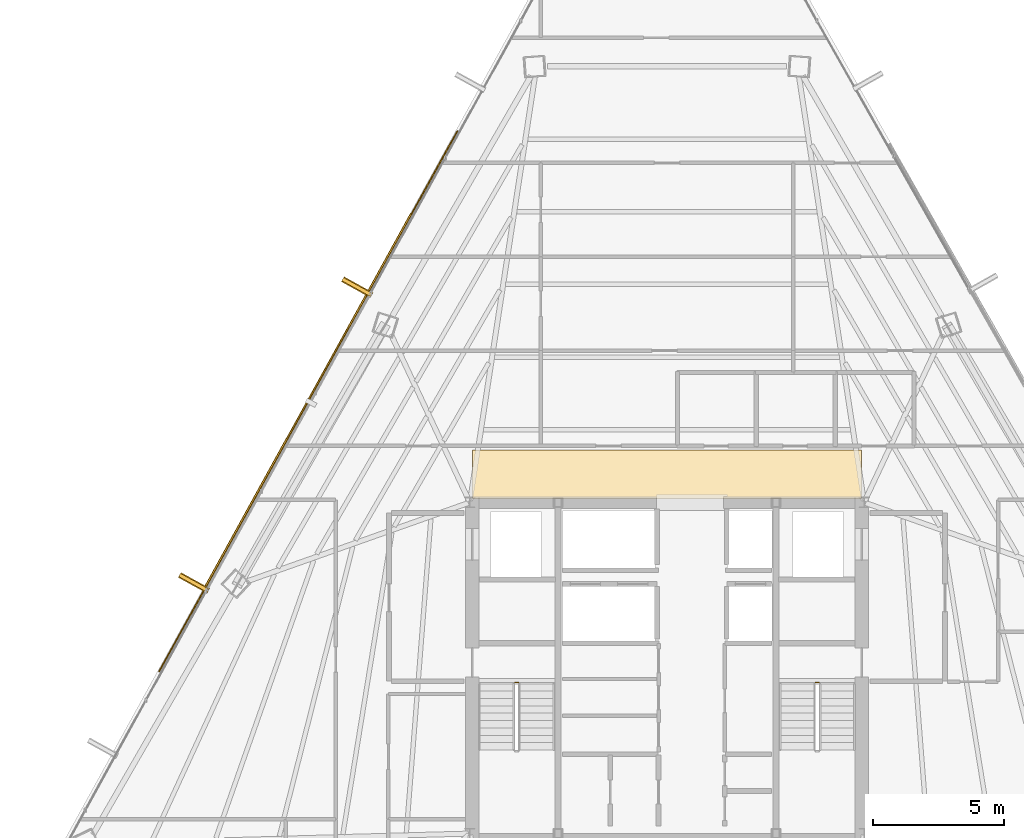
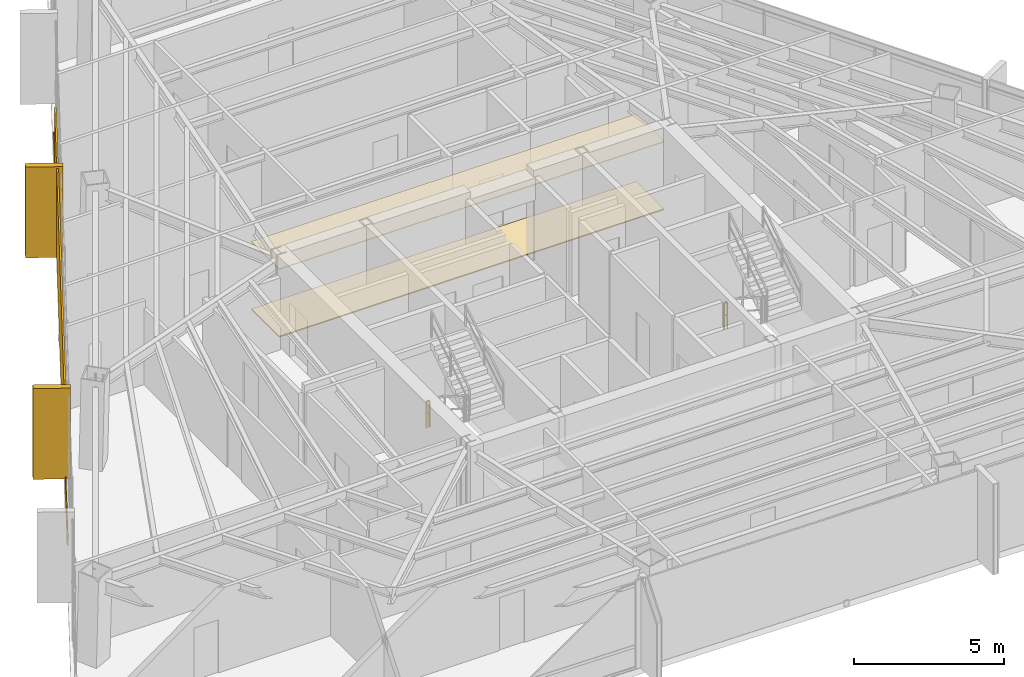
# One storey, part 41 of 42: 5 coverings, 3 shading devices, 2 railings.
"""IFC4 building model written with IfcOpenShell, lengths in metres."""

from ifc_helpers import new_model, si_unit, direction, frame, origin, origin_2d, place, context, subcontext, project, spatial, polyline, rectangle, outline, extrude, source, transform, mapped, material, layer, layer_set, type_object, type_shapes, element, save


model = new_model("IFC4")

# Units and contexts
model_context = context("Model", 3, precision=1e-05, world=origin(), true_north=direction((0.0, 1.0)))
body_context = subcontext(model_context, "Body", "Model", "MODEL_VIEW")
ifc_project = project(units=[si_unit("LENGTHUNIT", "METRE"), si_unit("AREAUNIT", "SQUARE_METRE"), si_unit("VOLUMEUNIT", "CUBIC_METRE"), si_unit("PLANEANGLEUNIT", "RADIAN"), si_unit("MASSUNIT", "GRAM", prefix="KILO")], contexts=[model_context])

# Site, building, storey
site_placement = place(None, origin())
site = spatial("IfcSite", under=ifc_project, at=site_placement, CompositionType="ELEMENT")
building_placement = place(site_placement, origin())
building = spatial("IfcBuilding", under=site, at=building_placement, Name="Caelisora Broadcast Tower", CompositionType="ELEMENT")
storey_placement = place(building_placement, frame((0.0, 0.0, 205.949951171875)))
storey = spatial("IfcBuildingStorey", under=building, at=storey_placement, Name="L54", CompositionType="ELEMENT", Elevation=205.949951171875)

# Coverings
ifc_material_1 = material(Name="Perforated Mineral-Fibre Acoustic Ceiling Tile", Category="gypsum")
ifc_layer_1 = layer(ifc_material_1, 0.034912109375, Name="Perforated Mineral-Fibre Acoustic Ceiling Tile")
ifc_layer_set_1 = layer_set([ifc_layer_1], Name="Perforated Mineral-Fibre Acoustic Ceiling Tile")
covering_type_1 = type_object("IfcCoveringType", Name="CE-1", PredefinedType="CEILING", material=ifc_layer_set_1)
covering_1_placement = place(storey_placement, frame((0.0, 0.0, 2.75)))
element("IfcCovering", 1, at=covering_1_placement, inside=storey, type_object=covering_type_1, Name="L54 acoustic corridor ceiling CE-1 (N)", PredefinedType="CEILING", context=body_context, shape_type="SweptSolid", body=[
    extrude(outline(polyline([(30.60009765625, 30.14990234375), (45.39990234375, 30.14990234375), (45.39990234375, 32.0), (30.60009765625, 32.0), (30.60009765625, 30.14990234375)])), origin(), (0.0, 0.0, 1.0), 0.03515625),
])
ifc_material_2 = material(Name="Anti-Static Broadcast Raised Access Floor Panel", Category="steel")
ifc_layer_2 = layer(ifc_material_2, 0.044921875, Name="Anti-Static Broadcast Raised Access Floor Panel")
ifc_layer_set_2 = layer_set([ifc_layer_2], Name="Anti-Static Broadcast Raised Access Floor Panel")
covering_type_2 = type_object("IfcCoveringType", Name="FL-1", PredefinedType="FLOORING", material=ifc_layer_set_2)
covering_2_placement = place(storey_placement, origin())
element("IfcCovering", 2, at=covering_2_placement, inside=storey, type_object=covering_type_2, Name="L54 broadcast raised access floor FL-1 (N)", PredefinedType="FLOORING", context=body_context, shape_type="SweptSolid", body=[
    extrude(outline(polyline([(30.60009765625, 30.14990234375), (45.39990234375, 30.14990234375), (45.39990234375, 32.0), (30.60009765625, 32.0), (30.60009765625, 30.14990234375)])), origin(), (0.0, 0.0, 1.0), 0.045166015625),
])

# Railings
ifc_material_3 = material(Name="Galvanised Steel Safety Guardrail", Category="steel")
ifc_layer_3 = layer(ifc_material_3, 0.048095703125, Name="Galvanised Steel Safety Guardrail")
ifc_layer_set_3 = layer_set([ifc_layer_3], Name="Galvanised Steel Safety Guardrail")
railing_type = type_object("IfcRailingType", Name="GR-1", PredefinedType="GUARDRAIL", material=ifc_layer_set_3)
for number, where, name in (
    (3, (32.219970703125, 23.14990234375, 0.0), "L54 ST-1 stair guard 4"),
    (4, (43.659912109375, 23.14990234375, 0.0), "L54 ST-2 stair guard 4"),
):
    element("IfcRailing", number, at=place(storey_placement, frame(where)), inside=storey, type_object=railing_type, Name=name, PredefinedType="GUARDRAIL", context=body_context, shape_type="SweptSolid", body=[
        extrude(rectangle(XDim=0.048095703125, YDim=0.048095703125, at=origin_2d()), frame((0.0, 0.0, 1.076171875), z_axis=(1.0, 0.0, 0.0), x_axis=(0.0, 1.0, 0.0)), (0.0, 0.0, 1.0), 0.1201171875),
        extrude(rectangle(XDim=0.03125, YDim=0.03125, at=origin_2d()), frame((0.0, 0.0, 0.550048828125), z_axis=(1.0, 0.0, 0.0), x_axis=(0.0, 1.0, 0.0)), (0.0, 0.0, 1.0), 0.1201171875),
        extrude(rectangle(XDim=0.0419921875, YDim=0.0419921875, at=origin_2d()), origin(), (0.0, 0.0, 1.0), 1.052001953125),
        extrude(rectangle(XDim=0.0419921875, YDim=0.0419921875, at=origin_2d()), frame((0.1201171875, 0.0, 0.0)), (0.0, 0.0, 1.0), 1.052001953125),
    ])

# Coverings
ifc_material_4 = material(Name="Kiln-Fired Terracotta Spandrel Rainscreen Cladding", Category="ceramic")
ifc_layer_4 = layer(ifc_material_4, 0.044921875, Name="Kiln-Fired Terracotta Spandrel Rainscreen Cladding")
ifc_layer_set_4 = layer_set([ifc_layer_4], Name="Kiln-Fired Terracotta Spandrel Rainscreen Cladding")
covering_type_3 = type_object("IfcCoveringType", Name="CL-1", PredefinedType="CLADDING", material=ifc_layer_set_4)
shared_shape_1 = source(origin(), body_context, "Body", "SweptSolid", [
    extrude(rectangle(XDim=0.219970703125, YDim=1.25, at=origin_2d()), origin(), (0.0, 0.0, 1.0), 3.68994140625),
])
for number, where, z_axis, x_axis, name in (
    (5, (20.0009765625, 26.93798828125, -0.02001953125), (0.0, 0.0, 1.0), (0.48312957851, 0.875548862354, 0.0), "L54 vertical solar fin cladding #3-2"),
    (6, (26.21044921875, 38.192626953125, -0.02001953125), (0.0, 0.0, 1.0), (0.48312957851, 0.875548862354, 0.0), "L54 vertical solar fin cladding #3-3"),
):
    element("IfcCovering", number, at=place(storey_placement, frame(where, z_axis=z_axis, x_axis=x_axis)), inside=storey, type_object=covering_type_3, Name=name, PredefinedType="CLADDING", context=body_context, shape_type="MappedRepresentation", body=[
        mapped(shared_shape_1, transform((0.0, 0.0, 0.0), scale=1.0)),
    ])

# Shading devices
ifc_material_5 = material(Name="Extruded Terracotta Flaring Colonnade Fin", Category="ceramic")
ifc_layer_5 = layer(ifc_material_5, 0.139892578125, Name="Extruded Terracotta Flaring Colonnade Fin")
ifc_layer_set_5 = layer_set([ifc_layer_5], Name="Extruded Terracotta Flaring Colonnade Fin")
shading_device_type_1 = type_object("IfcShadingDeviceType", Name="FN-1", PredefinedType="USERDEFINED", material=ifc_layer_set_5)
shared_shape_2 = source(origin(), body_context, "Body", "SweptSolid", [
    extrude(rectangle(XDim=0.139892578125, YDim=1.25, at=origin_2d()), origin(), (0.0, 0.0, 1.0), 3.669921875),
])
type_shapes(shading_device_type_1, [shared_shape_2])
for number, where, z_axis, x_axis, name in (
    (7, (20.0009765625, 26.93798828125, -0.010009765625), (0.0, 0.0, 1.0), (0.48312957851, 0.875548862354, 0.0), "L54 vertical terracotta fin #3-2"),
    (8, (26.21044921875, 38.192626953125, -0.010009765625), (0.0, 0.0, 1.0), (0.48312957851, 0.875548862354, 0.0), "L54 vertical terracotta fin #3-3"),
):
    element("IfcShadingDevice", number, at=place(storey_placement, frame(where, z_axis=z_axis, x_axis=x_axis)), inside=storey, type_object=shading_device_type_1, Name=name, ObjectType="FIN", PredefinedType="USERDEFINED", context=body_context, shape_type="MappedRepresentation", body=[
        mapped(shared_shape_2, transform((0.0, 0.0, 0.0), scale=1.0)),
    ])
ifc_material_6 = material(Name="Perforated Glazed Terracotta Baguette Solar Screen", Category="ceramic")
ifc_layer_6 = layer(ifc_material_6, 0.06494140625, Name="Perforated Glazed Terracotta Baguette Solar Screen")
ifc_layer_set_6 = layer_set([ifc_layer_6], Name="Perforated Glazed Terracotta Baguette Solar Screen")
shading_device_type_2 = type_object("IfcShadingDeviceType", Name="SS-1", PredefinedType="USERDEFINED", material=ifc_layer_set_6)
shared_shape_3 = source(origin(), body_context, "Body", "SweptSolid", [
    extrude(rectangle(XDim=16.27294921875, YDim=0.06494140625, at=origin_2d()), origin(), (0.0, 0.0, 1.0), 3.590087890625),
])
type_shapes(shading_device_type_2, [shared_shape_3])
shading_device_placement = place(storey_placement, frame((24.33447265625, 33.861083984375, 0.0), z_axis=(0.0, 0.0, 1.0), x_axis=(-0.48312957851, -0.875548862354, 0.0)))
element("IfcShadingDevice", 9, at=shading_device_placement, inside=storey, type_object=shading_device_type_2, Name="L54 perforated terracotta solar screen #1", ObjectType="SOLAR SCREEN", PredefinedType="USERDEFINED", context=body_context, shape_type="MappedRepresentation", body=[
    mapped(shared_shape_3, transform((0.0, 0.0, 0.0), scale=1.0)),
])

# Covering
shared_shape_4 = source(origin(), body_context, "Body", "SweptSolid", [
    extrude(rectangle(XDim=23.506103515625, YDim=0.044921875, at=origin_2d()), origin(), (0.0, 0.0, 1.0), 0.340087890625),
])
type_shapes(covering_type_3, [shared_shape_1, shared_shape_4])
covering_3_placement = place(storey_placement, frame((24.35205078125, 33.8515625, -0.27001953125), z_axis=(0.0, 0.0, 1.0), x_axis=(-0.48312957851, -0.875548862354, 0.0)))
element("IfcCovering", 10, at=covering_3_placement, inside=storey, type_object=covering_type_3, Name="L54 terracotta spandrel rainscreen #1", PredefinedType="CLADDING", context=body_context, shape_type="MappedRepresentation", body=[
    mapped(shared_shape_4, transform((0.0, 0.0, 0.0), scale=1.0)),
])

save(model, "model.ifc")
